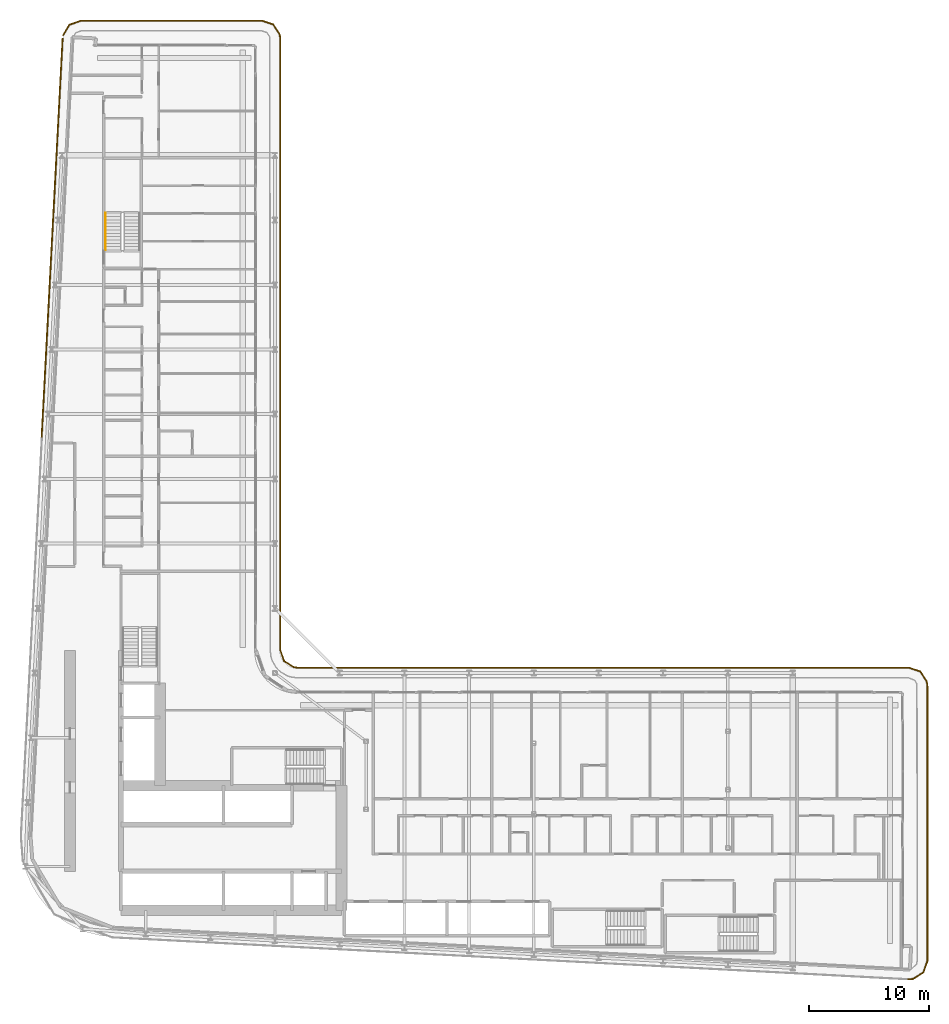
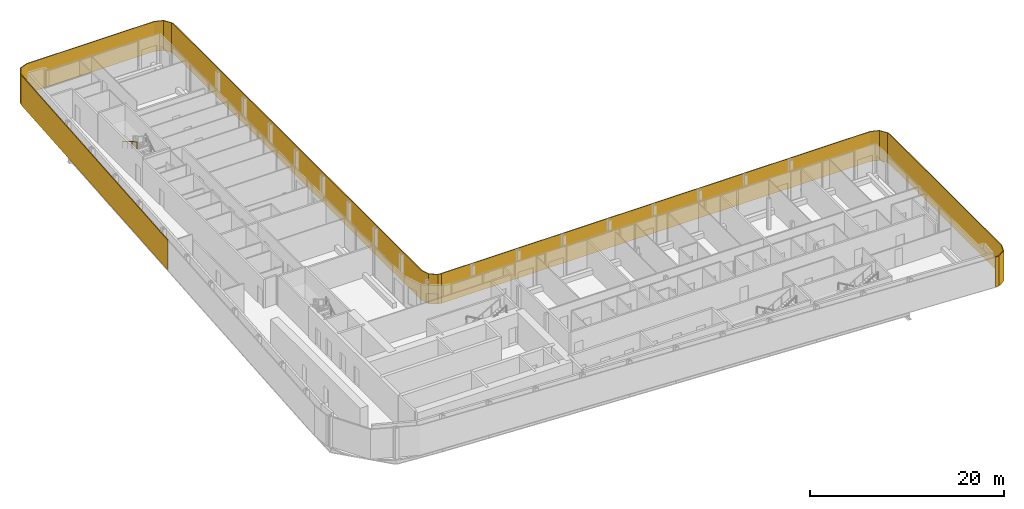
# One storey, part 26 of 28: 3 shading devices, 1 railing.
"""IFC4 building model written with IfcOpenShell, lengths in metres."""

from ifc_helpers import new_model, si_unit, direction, frame, origin, origin_2d, place, context, subcontext, project, spatial, polyline, rectangle, circle, outline, extrude, material, layer, layer_set, type_object, element, save


model = new_model("IFC4")

# Units and contexts
model_context = context("Model", 3, precision=1e-05, world=origin(), true_north=direction((0.0, 1.0)))
body_context = subcontext(model_context, "Body", "Model", "MODEL_VIEW")
ifc_project = project(units=[si_unit("LENGTHUNIT", "METRE"), si_unit("AREAUNIT", "SQUARE_METRE"), si_unit("VOLUMEUNIT", "CUBIC_METRE"), si_unit("PLANEANGLEUNIT", "RADIAN"), si_unit("MASSUNIT", "GRAM", prefix="KILO")], contexts=[model_context])

# Site, building, storey
site_placement = place(None, origin())
site = spatial("IfcSite", under=ifc_project, at=site_placement, CompositionType="ELEMENT")
building_placement = place(site_placement, origin())
building = spatial("IfcBuilding", under=site, at=building_placement, Name="Kheshtan School and Residences Tower", CompositionType="ELEMENT")
storey_placement = place(building_placement, frame((0.0, 0.0, 125.300048828125)))
storey = spatial("IfcBuildingStorey", under=building, at=storey_placement, Name="L29", CompositionType="ELEMENT", Elevation=125.300048828125)

# Shading devices
ifc_material_1 = material(Name="Terracotta baguette, extruded ceramic", Category="masonry")
ifc_layer_1 = layer(ifc_material_1, 0.10009765625)
ifc_layer_set_1 = layer_set([ifc_layer_1], Name="Ledge screen, terracotta baguettes")
shading_device_type_1 = type_object("IfcShadingDeviceType", Name="Ledge screen, terracotta baguettes", PredefinedType="USERDEFINED", material=ifc_layer_set_1)
shading_device_1_placement = place(storey_placement, frame((28.9990234375, 81.93408203125, 0.0), z_axis=(0.0, 0.0, 1.0), x_axis=(0.052562536748, 0.998617634398, 0.0)))
element("IfcShadingDevice", 1, at=shading_device_1_placement, inside=storey, type_object=shading_device_type_1, Name="Screen L29 5", ObjectType="BAGUETTE", PredefinedType="USERDEFINED", context=body_context, shape_type="SweptSolid", body=[
    extrude(rectangle(XDim=33.341064453125, YDim=0.10009765625, at=origin_2d()), origin(), (0.0, 0.0, 1.0), 3.75),
])
ifc_material_2 = material(Name="Terracotta lattice, extruded ceramic", Category="masonry")
ifc_layer_2 = layer(ifc_material_2, 0.10009765625)
ifc_layer_set_2 = layer_set([ifc_layer_2], Name="Loggia screen, terracotta lattice")
shading_device_type_2 = type_object("IfcShadingDeviceType", Name="Loggia screen, terracotta lattice", PredefinedType="USERDEFINED", material=ifc_layer_set_2)
shading_device_2_placement = place(storey_placement, origin())
element("IfcShadingDevice", 2, at=shading_device_2_placement, inside=storey, type_object=shading_device_type_2, Name="Screen L29 1", ObjectType="SCREEN", PredefinedType="USERDEFINED", context=body_context, shape_type="SweptSolid", body=[
    extrude(outline(polyline([(29.949951171875, 98.783935546875), (30.468017578125, 99.656982421875), (31.423095703125, 100.0), (46.5, 100.0), (47.4130859375, 99.68994140625), (47.948974609375, 98.887939453125), (48.0, 98.5), (48.0, 47.5), (48.31005859375, 46.5869140625), (49.112060546875, 46.051025390625), (49.5, 46.0), (49.512939453125, 46.09912109375), (49.14794921875, 46.14697265625), (48.39404296875, 46.65087890625), (48.10009765625, 47.51708984375), (48.10009765625, 98.507080078125), (48.044921875, 98.924072265625), (47.47705078125, 99.77392578125), (46.51708984375, 100.10009765625), (31.406005859375, 100.10009765625), (30.39990234375, 99.739013671875), (29.864013671875, 98.8349609375), (29.949951171875, 98.783935546875)])), origin(), (0.0, 0.0, 1.0), 3.75),
])
shading_device_3_placement = place(storey_placement, origin())
element("IfcShadingDevice", 3, at=shading_device_3_placement, inside=storey, type_object=shading_device_type_2, Name="Screen L29 2", ObjectType="SCREEN", PredefinedType="USERDEFINED", context=body_context, shape_type="SweptSolid", body=[
    extrude(outline(polyline([(49.5, 46.0), (100.5, 46.0), (101.4130859375, 45.68994140625), (101.948974609375, 44.887939453125), (102.0, 44.5), (102.0, 21.5810546875), (101.669921875, 20.64208984375), (100.823974609375, 20.116943359375), (100.4208984375, 20.0830078125), (100.428955078125, 19.98291015625), (100.85595703125, 20.01904296875), (101.7529296875, 20.575927734375), (102.10009765625, 21.56396484375), (102.10009765625, 44.507080078125), (102.044921875, 44.924072265625), (101.47705078125, 45.77392578125), (100.51708984375, 46.10009765625), (49.5, 46.10009765625), (49.5, 46.0)])), origin(), (0.0, 0.0, 1.0), 3.75),
])

# Railing
ifc_material_3 = material(Name="Stainless steel handrail", Category="steel")
railing_type = type_object("IfcRailingType", Name="Stair handrail 900", PredefinedType="HANDRAIL", material=ifc_material_3)
railing_placement = place(storey_placement, frame((33.449951171875, 83.97998046875, 2.112548828125)))
element("IfcRailing", 4, at=railing_placement, inside=storey, type_object=railing_type, Name="L29 ST3 stair handrail 2", PredefinedType="HANDRAIL", context=body_context, shape_type="SweptSolid", body=[
    extrude(circle(Radius=0.02392578125, at=origin_2d()), frame((0.0, 0.0, 0.8759765625), z_axis=(0.0, -0.864920483161, 0.501908913857), x_axis=(1.0, 0.0, 0.0)), (0.0, 0.0, 1.0), 3.56103515625),
    extrude(circle(Radius=0.02099609375, at=origin_2d()), origin(), (0.0, 0.0, 1.0), 0.851806640625),
    extrude(circle(Radius=0.02099609375, at=origin_2d()), frame((0.0, -1.026611328125, 0.595703125)), (0.0, 0.0, 1.0), 0.851806640625),
    extrude(circle(Radius=0.02099609375, at=origin_2d()), frame((0.0, -2.053466796875, 1.191650390625)), (0.0, 0.0, 1.0), 0.851806640625),
    extrude(circle(Radius=0.02099609375, at=origin_2d()), frame((0.0, -3.080078125, 1.787353515625)), (0.0, 0.0, 1.0), 0.851806640625),
])

save(model, "model.ifc")
